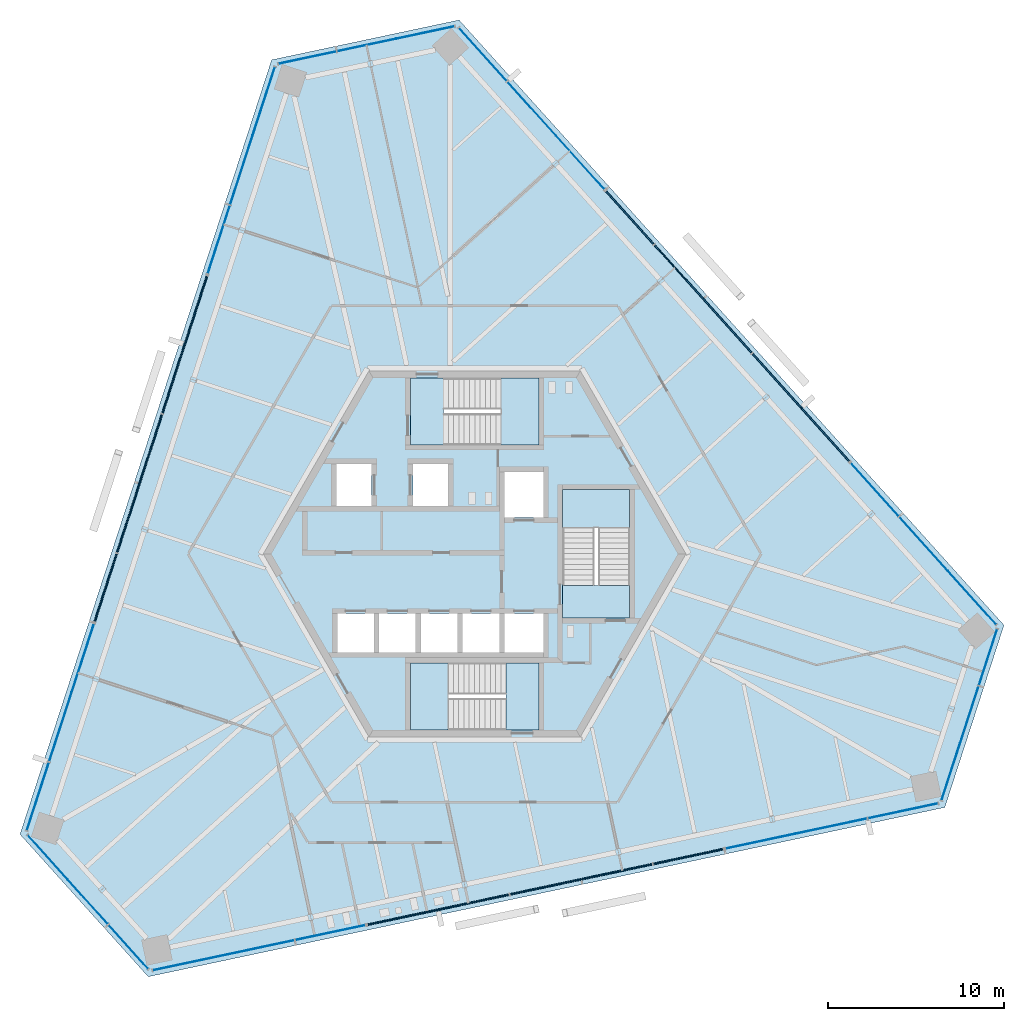
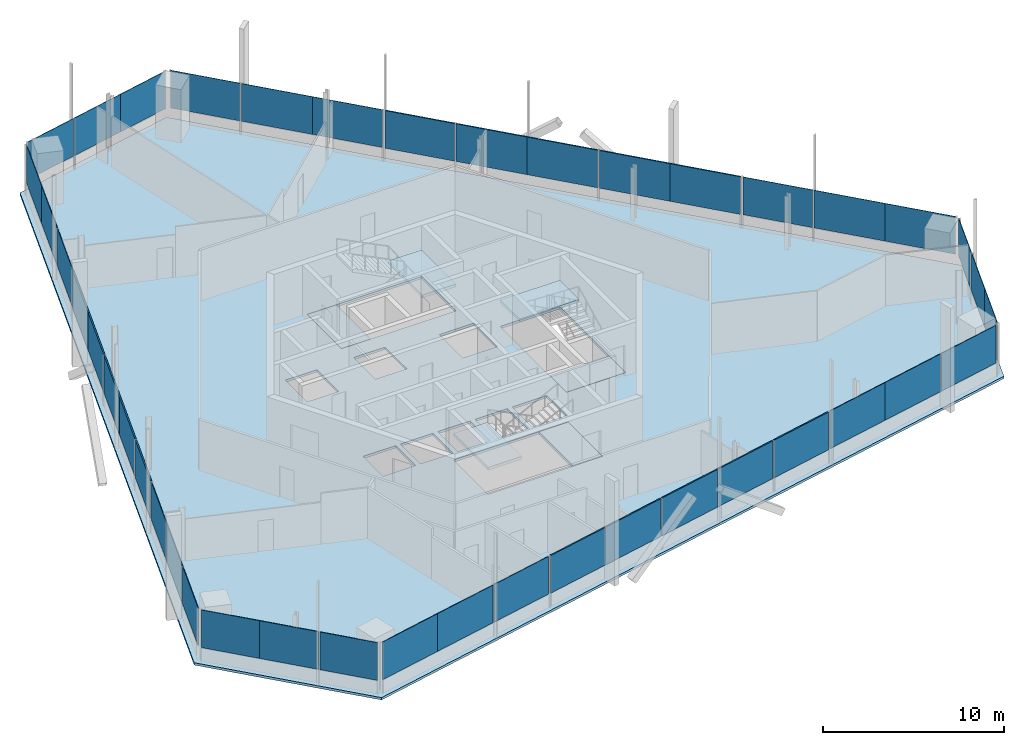
# One storey, part 9 of 17: 42 plates, 7 slabs, 15 elements without a shape of their own.
"""IFC4 building model written with IfcOpenShell, lengths in metres."""

from ifc_helpers import new_model, si_unit, direction, frame, origin, origin_2d, place, context, subcontext, project, spatial, polyline, rectangle, outline, extrude, source, transform, mapped, material, layer, layer_set, type_object, element, aggregate, save


model = new_model("IFC4")

# Units and contexts
model_context = context("Model", 3, precision=1e-05, world=origin(), true_north=direction((0.0, 1.0)))
body_context = subcontext(model_context, "Body", "Model", "MODEL_VIEW")
ifc_project = project(units=[si_unit("LENGTHUNIT", "METRE"), si_unit("AREAUNIT", "SQUARE_METRE"), si_unit("VOLUMEUNIT", "CUBIC_METRE"), si_unit("PLANEANGLEUNIT", "RADIAN"), si_unit("MASSUNIT", "GRAM", prefix="KILO")], contexts=[model_context])

# Site, building, storey
site_placement = place(None, origin())
site = spatial("IfcSite", under=ifc_project, at=site_placement, CompositionType="ELEMENT")
building_placement = place(site_placement, origin())
building = spatial("IfcBuilding", under=site, at=building_placement, Name="Triune Harvest Tower", CompositionType="ELEMENT")
storey_placement = place(building_placement, frame((0.0, 0.0, 273.89990234375)))
storey = spatial("IfcBuildingStorey", under=building, at=storey_placement, Name="L72", CompositionType="ELEMENT", Elevation=273.89990234375)

# Slab
ifc_material_1 = material(Name="Concrete 40 MPa", Category="concrete")
ifc_layer_1 = layer(ifc_material_1, 0.159912109375)
ifc_layer_set_1 = layer_set([ifc_layer_1], Name="Concrete 40 MPa")
slab_type_1 = type_object("IfcSlabType", Name="SL-1 Composite floor slab 160", PredefinedType="FLOOR", material=ifc_layer_set_1)
shared_shape_1 = source(origin(), body_context, "Body", "SweptSolid", [
    extrude(outline(polyline([(30.05810546875, -4.04638671875), (-0.88232421875, 30.31640625), (-11.524658203125, 28.054443359375), (-25.813720703125, -15.922607421875), (-18.533447265625, -24.0078125), (26.696044921875, -14.39404296875), (30.05810546875, -4.04638671875)]), holes=[polyline([(-5.72509765625, -5.590087890625), (-5.72509765625, -3.389892578125), (-7.800048828125, -3.389892578125), (-7.800048828125, -5.590087890625), (-5.72509765625, -5.590087890625)]), polyline([(-3.35009765625, -5.590087890625), (-3.35009765625, -3.389892578125), (-5.425048828125, -3.389892578125), (-5.425048828125, -5.590087890625), (-3.35009765625, -5.590087890625)]), polyline([(-0.97509765625, -5.590087890625), (-0.97509765625, -3.389892578125), (-3.050048828125, -3.389892578125), (-3.050048828125, -5.590087890625), (-0.97509765625, -5.590087890625)]), polyline([(1.39990234375, -5.590087890625), (1.39990234375, -3.389892578125), (-0.675048828125, -3.389892578125), (-0.675048828125, -5.590087890625), (1.39990234375, -5.590087890625)]), polyline([(3.89990234375, 2.06005859375), (3.89990234375, 4.659912109375), (1.699951171875, 4.659912109375), (1.699951171875, 2.06005859375), (3.89990234375, 2.06005859375)]), polyline([(3.89990234375, -5.590087890625), (3.89990234375, -3.389892578125), (1.699951171875, -3.389892578125), (1.699951171875, -5.590087890625), (3.89990234375, -5.590087890625)]), polyline([(-5.85009765625, 2.7099609375), (-5.85009765625, 5.110107421875), (-7.85009765625, 5.110107421875), (-7.85009765625, 2.7099609375), (-5.85009765625, 2.7099609375)]), polyline([(-1.5, 2.7099609375), (-1.5, 5.110107421875), (-3.5, 5.110107421875), (-3.5, 2.7099609375), (-1.5, 2.7099609375)]), polyline([(3.64990234375, 6.18994140625), (3.64990234375, 9.989990234375), (-3.64990234375, 9.989990234375), (-3.64990234375, 6.18994140625), (3.64990234375, 6.18994140625)]), polyline([(3.64990234375, -9.989990234375), (3.64990234375, -6.18994140625), (-3.64990234375, -6.18994140625), (-3.64990234375, -9.989990234375), (3.64990234375, -9.989990234375)]), polyline([(8.800048828125, -3.64990234375), (8.800048828125, 3.64990234375), (5.0, 3.64990234375), (5.0, -3.64990234375), (8.800048828125, -3.64990234375)])]), origin(), (0.0, 0.0, 1.0), 0.159912109375),
])
slab_1_placement = place(storey_placement, frame((0.0, 0.0, -0.159912109375)))
element("IfcSlab", 1, at=slab_1_placement, inside=storey, type_object=slab_type_1, Name="slab/L72/1", PredefinedType="FLOOR", context=body_context, shape_type="MappedRepresentation", body=[
    mapped(shared_shape_1, transform((0.0, 0.0, 0.0), scale=1.0)),
])

# Stair, slabs
ifc_material_2 = material(Name="Concrete 40 MPa", Category="concrete")
stair_type = type_object("IfcStairType", Name="Exit stair 1800 half turn", PredefinedType="HALF_TURN_STAIR", material=ifc_material_2)
stair_1_placement = place(storey_placement, origin())
stair_1 = element("IfcStair", 2, at=stair_1_placement, inside=storey, type_object=stair_type, Name="Exit stair north", PredefinedType="HALF_TURN_STAIR")
ifc_material_3 = material(Name="Concrete 40 MPa", Category="concrete")
ifc_layer_2 = layer(ifc_material_3, 0.199951171875)
ifc_layer_set_2 = layer_set([ifc_layer_2], Name="Concrete 40 MPa")
slab_type_2 = type_object("IfcSlabType", Name="Stair landing 200", PredefinedType="LANDING", material=ifc_layer_set_2)
shared_shape_2 = source(origin(), body_context, "Body", "SweptSolid", [
    extrude(outline(polyline([(1.510009765625, 6.18994140625), (3.64990234375, 6.18994140625), (3.64990234375, 9.989990234375), (1.510009765625, 9.989990234375), (1.510009765625, 6.18994140625)])), origin(), (0.0, 0.0, 1.0), 0.199951171875),
])
slab_2_placement = place(storey_placement, frame((0.0, 0.0, 1.60009765625)))
slab_2 = element("IfcSlab", 3, at=slab_2_placement, type_object=slab_type_2, Name="ST-1 landing 2", PredefinedType="LANDING", context=body_context, shape_type="MappedRepresentation", body=[
    mapped(shared_shape_2, transform((0.0, 0.0, 0.0), scale=1.0)),
])
shared_shape_3 = source(origin(), body_context, "Body", "SweptSolid", [
    extrude(outline(polyline([(-3.64990234375, 6.18994140625), (-1.780029296875, 6.18994140625), (-1.780029296875, 9.989990234375), (-3.64990234375, 9.989990234375), (-3.64990234375, 6.18994140625)])), origin(), (0.0, 0.0, 1.0), 0.199951171875),
])
slab_3_placement = place(storey_placement, frame((0.0, 0.0, -0.199951171875)))
slab_3 = element("IfcSlab", 4, at=slab_3_placement, type_object=slab_type_2, Name="ST-1 landing 1", PredefinedType="LANDING", context=body_context, shape_type="MappedRepresentation", body=[
    mapped(shared_shape_3, transform((0.0, 0.0, 0.0), scale=1.0)),
])
aggregate(stair_1, [slab_3, slab_2])

stair_2_placement = place(storey_placement, origin())
stair_2 = element("IfcStair", 5, at=stair_2_placement, inside=storey, type_object=stair_type, Name="Exit stair south", PredefinedType="HALF_TURN_STAIR")
shared_shape_4 = source(origin(), body_context, "Body", "SweptSolid", [
    extrude(outline(polyline([(-1.510009765625, -6.18994140625), (-3.64990234375, -6.18994140625), (-3.64990234375, -9.989990234375), (-1.510009765625, -9.989990234375), (-1.510009765625, -6.18994140625)])), origin(), (0.0, 0.0, 1.0), 0.199951171875),
])
slab_4_placement = place(storey_placement, frame((0.0, 0.0, 1.60009765625)))
slab_4 = element("IfcSlab", 6, at=slab_4_placement, type_object=slab_type_2, Name="ST-2 landing 2", PredefinedType="LANDING", context=body_context, shape_type="MappedRepresentation", body=[
    mapped(shared_shape_4, transform((0.0, 0.0, 0.0), scale=1.0)),
])
shared_shape_5 = source(origin(), body_context, "Body", "SweptSolid", [
    extrude(outline(polyline([(3.64990234375, -6.18994140625), (1.780029296875, -6.18994140625), (1.780029296875, -9.989990234375), (3.64990234375, -9.989990234375), (3.64990234375, -6.18994140625)])), origin(), (0.0, 0.0, 1.0), 0.199951171875),
])
slab_5_placement = place(storey_placement, frame((0.0, 0.0, -0.199951171875)))
slab_5 = element("IfcSlab", 7, at=slab_5_placement, type_object=slab_type_2, Name="ST-2 landing 1", PredefinedType="LANDING", context=body_context, shape_type="MappedRepresentation", body=[
    mapped(shared_shape_5, transform((0.0, 0.0, 0.0), scale=1.0)),
])
aggregate(stair_2, [slab_5, slab_4])

stair_3_placement = place(storey_placement, origin())
stair_3 = element("IfcStair", 8, at=stair_3_placement, inside=storey, type_object=stair_type, Name="Exit stair east", PredefinedType="HALF_TURN_STAIR")
shared_shape_6 = source(origin(), body_context, "Body", "SweptSolid", [
    extrude(outline(polyline([(8.800048828125, 1.510009765625), (8.800048828125, 3.64990234375), (5.0, 3.64990234375), (5.0, 1.510009765625), (8.800048828125, 1.510009765625)])), origin(), (0.0, 0.0, 1.0), 0.199951171875),
])
slab_6_placement = place(storey_placement, frame((0.0, 0.0, 1.60009765625)))
slab_6 = element("IfcSlab", 9, at=slab_6_placement, type_object=slab_type_2, Name="ST-3 landing 2", PredefinedType="LANDING", context=body_context, shape_type="MappedRepresentation", body=[
    mapped(shared_shape_6, transform((0.0, 0.0, 0.0), scale=1.0)),
])
shared_shape_7 = source(origin(), body_context, "Body", "SweptSolid", [
    extrude(outline(polyline([(8.800048828125, -3.64990234375), (8.800048828125, -1.780029296875), (5.0, -1.780029296875), (5.0, -3.64990234375), (8.800048828125, -3.64990234375)])), origin(), (0.0, 0.0, 1.0), 0.199951171875),
])
slab_7_placement = place(storey_placement, frame((0.0, 0.0, -0.199951171875)))
slab_7 = element("IfcSlab", 10, at=slab_7_placement, type_object=slab_type_2, Name="ST-3 landing 1", PredefinedType="LANDING", context=body_context, shape_type="MappedRepresentation", body=[
    mapped(shared_shape_7, transform((0.0, 0.0, 0.0), scale=1.0)),
])
aggregate(stair_3, [slab_7, slab_6])

# Curtain wall, plate
ifc_material_4 = material(Name="Aluminium bronze anodised", Category="aluminium")
curtain_wall_type_1 = type_object("IfcCurtainWallType", Name="CW-1 Tower stick curtain wall", PredefinedType="NOTDEFINED", material=ifc_material_4)
curtain_wall_1_placement = place(storey_placement, origin())
curtain_wall_1 = element("IfcCurtainWall", 11, at=curtain_wall_1_placement, inside=storey, type_object=curtain_wall_type_1, Name="CW-1 B7-F2 L72 run 1")
ifc_material_5 = material(Name="Glass", Category="glass")
ifc_layer_3 = layer(ifc_material_5, 0.031982421875)
ifc_layer_set_3 = layer_set([ifc_layer_3], Name="Glass")
plate_type_1 = type_object("IfcPlateType", Name="GL-1 panel 32", PredefinedType="CURTAIN_PANEL", material=ifc_layer_set_3)
shared_shape_8 = source(origin(), body_context, "Body", "SweptSolid", [
    extrude(rectangle(XDim=3.376220703125, YDim=0.031982421875, at=origin_2d()), origin(), (0.0, 0.0, 1.0), 2.5400390625),
])
plate_1_placement = place(storey_placement, frame((-2.802001953125, 29.601806640625, 0.900146484375), z_axis=(0.0, 0.0, 1.0), x_axis=(-0.978149078297, -0.207904739307, 0.0)))
plate_1 = element("IfcPlate", 12, at=plate_1_placement, type_object=plate_type_1, Name="CW-1 panel B7-F2 1.1", PredefinedType="CURTAIN_PANEL", context=body_context, shape_type="MappedRepresentation", body=[
    mapped(shared_shape_8, transform((0.0, 0.0, 0.0), scale=1.0)),
])

curtain_wall_2_placement = place(storey_placement, origin())
curtain_wall_2 = element("IfcCurtainWall", 13, at=curtain_wall_2_placement, inside=storey, type_object=curtain_wall_type_1, Name="CW-1 B7-F4 L72 run 1")
plate_2_placement = place(storey_placement, frame((-24.23486328125, -17.2275390625, 0.900146484375), z_axis=(0.0, 0.0, 1.0), x_axis=(0.669132031472, -0.743143542297, 0.0)))
plate_2 = element("IfcPlate", 14, at=plate_2_placement, type_object=plate_type_1, Name="CW-1 panel B7-F4 1.1", PredefinedType="CURTAIN_PANEL", context=body_context, shape_type="MappedRepresentation", body=[
    mapped(shared_shape_8, transform((0.0, 0.0, 0.0), scale=1.0)),
])

curtain_wall_3_placement = place(storey_placement, origin())
curtain_wall_3 = element("IfcCurtainWall", 15, at=curtain_wall_3_placement, inside=storey, type_object=curtain_wall_type_1, Name="CW-1 B7-F6 L72 run 1")
plate_3_placement = place(storey_placement, frame((27.036865234375, -12.374267578125, 0.900146484375), z_axis=(0.0, 0.0, 1.0), x_axis=(0.309018882717, 0.951055902733, 0.0)))
plate_3 = element("IfcPlate", 16, at=plate_3_placement, type_object=plate_type_1, Name="CW-1 panel B7-F6 1.1", PredefinedType="CURTAIN_PANEL", context=body_context, shape_type="MappedRepresentation", body=[
    mapped(shared_shape_8, transform((0.0, 0.0, 0.0), scale=1.0)),
])

# Plate
shared_shape_9 = source(origin(), body_context, "Body", "SweptSolid", [
    extrude(rectangle(XDim=3.413818359375, YDim=0.031982421875, at=origin_2d()), origin(), (0.0, 0.0, 1.0), 2.5400390625),
])
plate_4_placement = place(storey_placement, frame((-6.122802734375, 28.89599609375, 0.900146484375), z_axis=(0.0, 0.0, 1.0), x_axis=(-0.978149078297, -0.207904739307, 0.0)))
plate_4 = element("IfcPlate", 17, at=plate_4_placement, type_object=plate_type_1, Name="CW-1 panel B7-F2 1.2", PredefinedType="CURTAIN_PANEL", context=body_context, shape_type="MappedRepresentation", body=[
    mapped(shared_shape_9, transform((0.0, 0.0, 0.0), scale=1.0)),
])

plate_5_placement = place(storey_placement, frame((28.0859375, -9.145263671875, 0.900146484375), z_axis=(0.0, 0.0, 1.0), x_axis=(0.309018882717, 0.951055902733, 0.0)))
plate_5 = element("IfcPlate", 18, at=plate_5_placement, type_object=plate_type_1, Name="CW-1 panel B7-F6 1.2", PredefinedType="CURTAIN_PANEL", context=body_context, shape_type="MappedRepresentation", body=[
    mapped(shared_shape_9, transform((0.0, 0.0, 0.0), scale=1.0)),
])

shared_shape_10 = source(origin(), body_context, "Body", "SweptSolid", [
    extrude(rectangle(XDim=3.338623046875, YDim=0.031982421875, at=origin_2d()), origin(), (0.0, 0.0, 1.0), 2.5400390625),
])
plate_6_placement = place(storey_placement, frame((-9.49853515625, 28.178466796875, 0.900146484375), z_axis=(0.0, 0.0, 1.0), x_axis=(-0.978149078297, -0.207904739307, 0.0)))
plate_6 = element("IfcPlate", 19, at=plate_6_placement, type_object=plate_type_1, Name="CW-1 panel B7-F2 1.3", PredefinedType="CURTAIN_PANEL", context=body_context, shape_type="MappedRepresentation", body=[
    mapped(shared_shape_10, transform((0.0, 0.0, 0.0), scale=1.0)),
])

aggregate(curtain_wall_1, [plate_1, plate_4, plate_6])

plate_7_placement = place(storey_placement, frame((-19.65380859375, -22.315185546875, 0.900146484375), z_axis=(0.0, 0.0, 1.0), x_axis=(0.669132031472, -0.743143542297, 0.0)))
plate_7 = element("IfcPlate", 20, at=plate_7_placement, type_object=plate_type_1, Name="CW-1 panel B7-F4 1.3", PredefinedType="CURTAIN_PANEL", context=body_context, shape_type="MappedRepresentation", body=[
    mapped(shared_shape_10, transform((0.0, 0.0, 0.0), scale=1.0)),
])

plate_8_placement = place(storey_placement, frame((29.152587890625, -5.863037109375, 0.900146484375), z_axis=(0.0, 0.0, 1.0), x_axis=(0.309018882717, 0.951055902733, 0.0)))
plate_8 = element("IfcPlate", 21, at=plate_8_placement, type_object=plate_type_1, Name="CW-1 panel B7-F6 1.3", PredefinedType="CURTAIN_PANEL", context=body_context, shape_type="MappedRepresentation", body=[
    mapped(shared_shape_10, transform((0.0, 0.0, 0.0), scale=1.0)),
])

aggregate(curtain_wall_3, [plate_3, plate_5, plate_8])

shared_shape_11 = source(origin(), body_context, "Body", "SweptSolid", [
    extrude(rectangle(XDim=3.41357421875, YDim=0.031982421875, at=origin_2d()), origin(), (0.0, 0.0, 1.0), 2.5400390625),
])
plate_9_placement = place(storey_placement, frame((-21.963134765625, -19.75048828125, 0.900146484375), z_axis=(0.0, 0.0, 1.0), x_axis=(0.669132031472, -0.743143542297, 0.0)))
plate_9 = element("IfcPlate", 22, at=plate_9_placement, type_object=plate_type_1, Name="CW-1 panel B7-F4 1.2", PredefinedType="CURTAIN_PANEL", context=body_context, shape_type="MappedRepresentation", body=[
    mapped(shared_shape_11, transform((0.0, 0.0, 0.0), scale=1.0)),
])

aggregate(curtain_wall_2, [plate_2, plate_9, plate_7])

# Curtain wall, plate
ifc_material_6 = material(Name="Aluminium bronze anodised", Category="aluminium")
curtain_wall_type_2 = type_object("IfcCurtainWallType", Name="CW-7 Tower stick curtain wall with insulated spandrel infill", PredefinedType="NOTDEFINED", material=ifc_material_6)
curtain_wall_4_placement = place(storey_placement, origin())
curtain_wall_4 = element("IfcCurtainWall", 23, at=curtain_wall_4_placement, inside=storey, type_object=curtain_wall_type_2, Name="CW-7 B7-F1 L72 run 1001")
ifc_material_7 = material(Name="Insulated spandrel panel, bronze aluminium pan", Category="aluminium")
ifc_layer_4 = layer(ifc_material_7, 0.080078125)
ifc_layer_set_4 = layer_set([ifc_layer_4], Name="Insulated spandrel panel, bronze aluminium pan")
plate_type_2 = type_object("IfcPlateType", Name="SP-1 insulated spandrel panel 80", PredefinedType="CURTAIN_PANEL", material=ifc_layer_set_4)
shared_shape_12 = source(origin(), body_context, "Body", "SweptSolid", [
    extrude(rectangle(XDim=4.080810546875, YDim=0.080078125, at=origin_2d()), origin(), (0.0, 0.0, 1.0), 2.5400390625),
])
plate_10_placement = place(storey_placement, frame((19.9013671875, 6.785400390625, 0.900146484375), z_axis=(0.0, 0.0, 1.0), x_axis=(-0.669131426809, 0.74314408674, 0.0)))
plate_10 = element("IfcPlate", 24, at=plate_10_placement, type_object=plate_type_2, Name="CW-7 panel B7-F1 1001.1", PredefinedType="CURTAIN_PANEL", context=body_context, shape_type="MappedRepresentation", body=[
    mapped(shared_shape_12, transform((0.0, 0.0, 0.0), scale=1.0)),
])

curtain_wall_5_placement = place(storey_placement, origin())
curtain_wall_5 = element("IfcCurtainWall", 25, at=curtain_wall_5_placement, inside=storey, type_object=curtain_wall_type_2, Name="CW-7 B7-F3 L72 run 1001")
plate_11_placement = place(storey_placement, frame((-15.826904296875, 13.84228515625, 0.900146484375), z_axis=(0.0, 0.0, 1.0), x_axis=(-0.309020017761, -0.951055533932, 0.0)))
plate_11 = element("IfcPlate", 26, at=plate_11_placement, type_object=plate_type_2, Name="CW-7 panel B7-F3 1001.1", PredefinedType="CURTAIN_PANEL", context=body_context, shape_type="MappedRepresentation", body=[
    mapped(shared_shape_12, transform((0.0, 0.0, 0.0), scale=1.0)),
])

curtain_wall_6_placement = place(storey_placement, origin())
curtain_wall_6 = element("IfcCurtainWall", 27, at=curtain_wall_6_placement, inside=storey, type_object=curtain_wall_type_2, Name="CW-7 B7-F5 L72 run 1001")
plate_12_placement = place(storey_placement, frame((-4.07421875, -20.627685546875, 0.900146484375), z_axis=(0.0, 0.0, 1.0), x_axis=(0.978147303245, 0.207913090389, 0.0)))
plate_12 = element("IfcPlate", 28, at=plate_12_placement, type_object=plate_type_2, Name="CW-7 panel B7-F5 1001.1", PredefinedType="CURTAIN_PANEL", context=body_context, shape_type="MappedRepresentation", body=[
    mapped(shared_shape_12, transform((0.0, 0.0, 0.0), scale=1.0)),
])

# Plate
shared_shape_13 = source(origin(), body_context, "Body", "SweptSolid", [
    extrude(rectangle(XDim=4.1181640625, YDim=0.080078125, at=origin_2d()), origin(), (0.0, 0.0, 1.0), 2.5400390625),
])
plate_13_placement = place(storey_placement, frame((17.158203125, 9.83203125, 0.900146484375), z_axis=(0.0, 0.0, 1.0), x_axis=(-0.669131426809, 0.74314408674, 0.0)))
plate_13 = element("IfcPlate", 29, at=plate_13_placement, type_object=plate_type_2, Name="CW-7 panel B7-F1 1001.2", PredefinedType="CURTAIN_PANEL", context=body_context, shape_type="MappedRepresentation", body=[
    mapped(shared_shape_13, transform((0.0, 0.0, 0.0), scale=1.0)),
])

plate_14_placement = place(storey_placement, frame((14.3525390625, 12.9482421875, 0.900146484375), z_axis=(0.0, 0.0, 1.0), x_axis=(-0.669131426809, 0.74314408674, 0.0)))
plate_14 = element("IfcPlate", 30, at=plate_14_placement, type_object=plate_type_2, Name="CW-7 panel B7-F1 1001.3", PredefinedType="CURTAIN_PANEL", context=body_context, shape_type="MappedRepresentation", body=[
    mapped(shared_shape_13, transform((0.0, 0.0, 0.0), scale=1.0)),
])

plate_15_placement = place(storey_placement, frame((11.5966796875, 16.008544921875, 0.900146484375), z_axis=(0.0, 0.0, 1.0), x_axis=(-0.669131426809, 0.74314408674, 0.0)))
plate_15 = element("IfcPlate", 31, at=plate_15_placement, type_object=plate_type_2, Name="CW-7 panel B7-F1 1001.4", PredefinedType="CURTAIN_PANEL", context=body_context, shape_type="MappedRepresentation", body=[
    mapped(shared_shape_13, transform((0.0, 0.0, 0.0), scale=1.0)),
])

plate_16_placement = place(storey_placement, frame((-17.09375, 9.943359375, 0.900146484375), z_axis=(0.0, 0.0, 1.0), x_axis=(-0.309020017761, -0.951055533932, 0.0)))
plate_16 = element("IfcPlate", 32, at=plate_16_placement, type_object=plate_type_2, Name="CW-7 panel B7-F3 1001.2", PredefinedType="CURTAIN_PANEL", context=body_context, shape_type="MappedRepresentation", body=[
    mapped(shared_shape_13, transform((0.0, 0.0, 0.0), scale=1.0)),
])

plate_17_placement = place(storey_placement, frame((-18.3896484375, 5.955322265625, 0.900146484375), z_axis=(0.0, 0.0, 1.0), x_axis=(-0.309020017761, -0.951055533932, 0.0)))
plate_17 = element("IfcPlate", 33, at=plate_17_placement, type_object=plate_type_2, Name="CW-7 panel B7-F3 1001.3", PredefinedType="CURTAIN_PANEL", context=body_context, shape_type="MappedRepresentation", body=[
    mapped(shared_shape_13, transform((0.0, 0.0, 0.0), scale=1.0)),
])

plate_18_placement = place(storey_placement, frame((-19.662353515625, 2.038818359375, 0.900146484375), z_axis=(0.0, 0.0, 1.0), x_axis=(-0.309020017761, -0.951055533932, 0.0)))
plate_18 = element("IfcPlate", 34, at=plate_18_placement, type_object=plate_type_2, Name="CW-7 panel B7-F3 1001.4", PredefinedType="CURTAIN_PANEL", context=body_context, shape_type="MappedRepresentation", body=[
    mapped(shared_shape_13, transform((0.0, 0.0, 0.0), scale=1.0)),
])

plate_19_placement = place(storey_placement, frame((-0.064453125, -19.775390625, 0.900146484375), z_axis=(0.0, 0.0, 1.0), x_axis=(0.978147303245, 0.207913090389, 0.0)))
plate_19 = element("IfcPlate", 35, at=plate_19_placement, type_object=plate_type_2, Name="CW-7 panel B7-F5 1001.2", PredefinedType="CURTAIN_PANEL", context=body_context, shape_type="MappedRepresentation", body=[
    mapped(shared_shape_13, transform((0.0, 0.0, 0.0), scale=1.0)),
])

plate_20_placement = place(storey_placement, frame((4.037353515625, -18.903564453125, 0.900146484375), z_axis=(0.0, 0.0, 1.0), x_axis=(0.978147303245, 0.207913090389, 0.0)))
plate_20 = element("IfcPlate", 36, at=plate_20_placement, type_object=plate_type_2, Name="CW-7 panel B7-F5 1001.3", PredefinedType="CURTAIN_PANEL", context=body_context, shape_type="MappedRepresentation", body=[
    mapped(shared_shape_13, transform((0.0, 0.0, 0.0), scale=1.0)),
])

plate_21_placement = place(storey_placement, frame((8.0654296875, -18.04736328125, 0.900146484375), z_axis=(0.0, 0.0, 1.0), x_axis=(0.978147303245, 0.207913090389, 0.0)))
plate_21 = element("IfcPlate", 37, at=plate_21_placement, type_object=plate_type_2, Name="CW-7 panel B7-F5 1001.4", PredefinedType="CURTAIN_PANEL", context=body_context, shape_type="MappedRepresentation", body=[
    mapped(shared_shape_13, transform((0.0, 0.0, 0.0), scale=1.0)),
])

# Curtain wall, plate
curtain_wall_7_placement = place(storey_placement, origin())
curtain_wall_7 = element("IfcCurtainWall", 38, at=curtain_wall_7_placement, inside=storey, type_object=curtain_wall_type_1, Name="CW-1 B7-F1 L72 run 1")
shared_shape_14 = source(origin(), body_context, "Body", "SweptSolid", [
    extrude(rectangle(XDim=4.080810546875, YDim=0.031982421875, at=origin_2d()), origin(), (0.0, 0.0, 1.0), 2.5400390625),
])
plate_22_placement = place(storey_placement, frame((28.24365234375, -2.4794921875, 0.900146484375), z_axis=(0.0, 0.0, 1.0), x_axis=(-0.669131464034, 0.743144053222, 0.0)))
plate_22 = element("IfcPlate", 39, at=plate_22_placement, type_object=plate_type_1, Name="CW-1 panel B7-F1 1.1", PredefinedType="CURTAIN_PANEL", context=body_context, shape_type="MappedRepresentation", body=[
    mapped(shared_shape_14, transform((0.0, 0.0, 0.0), scale=1.0)),
])

curtain_wall_8_placement = place(storey_placement, origin())
curtain_wall_8 = element("IfcCurtainWall", 40, at=curtain_wall_8_placement, inside=storey, type_object=curtain_wall_type_1, Name="CW-1 B7-F1 L72 run 2001")
plate_23_placement = place(storey_placement, frame((5.99755859375, 22.22705078125, 0.900146484375), z_axis=(0.0, 0.0, 1.0), x_axis=(-0.669131464034, 0.743144053222, 0.0)))
plate_23 = element("IfcPlate", 41, at=plate_23_placement, type_object=plate_type_1, Name="CW-1 panel B7-F1 2001.1", PredefinedType="CURTAIN_PANEL", context=body_context, shape_type="MappedRepresentation", body=[
    mapped(shared_shape_14, transform((0.0, 0.0, 0.0), scale=1.0)),
])

curtain_wall_9_placement = place(storey_placement, origin())
curtain_wall_9 = element("IfcCurtainWall", 42, at=curtain_wall_9_placement, inside=storey, type_object=curtain_wall_type_1, Name="CW-1 B7-F3 L72 run 1")
plate_24_placement = place(storey_placement, frame((-11.974365234375, 25.699462890625, 0.900146484375), z_axis=(0.0, 0.0, 1.0), x_axis=(-0.309013302707, -0.951057715783, 0.0)))
plate_24 = element("IfcPlate", 43, at=plate_24_placement, type_object=plate_type_1, Name="CW-1 panel B7-F3 1.1", PredefinedType="CURTAIN_PANEL", context=body_context, shape_type="MappedRepresentation", body=[
    mapped(shared_shape_14, transform((0.0, 0.0, 0.0), scale=1.0)),
])

curtain_wall_10_placement = place(storey_placement, origin())
curtain_wall_10 = element("IfcCurtainWall", 44, at=curtain_wall_10_placement, inside=storey, type_object=curtain_wall_type_1, Name="CW-1 B7-F3 L72 run 2001")
plate_25_placement = place(storey_placement, frame((-22.248046875, -5.919677734375, 0.900146484375), z_axis=(0.0, 0.0, 1.0), x_axis=(-0.309013302707, -0.951057715783, 0.0)))
plate_25 = element("IfcPlate", 45, at=plate_25_placement, type_object=plate_type_1, Name="CW-1 panel B7-F3 2001.1", PredefinedType="CURTAIN_PANEL", context=body_context, shape_type="MappedRepresentation", body=[
    mapped(shared_shape_14, transform((0.0, 0.0, 0.0), scale=1.0)),
])

curtain_wall_11_placement = place(storey_placement, origin())
curtain_wall_11 = element("IfcCurtainWall", 46, at=curtain_wall_11_placement, inside=storey, type_object=curtain_wall_type_1, Name="CW-1 B7-F5 L72 run 1")
plate_26_placement = place(storey_placement, frame((-16.269287109375, -23.219970703125, 0.900146484375), z_axis=(0.0, 0.0, 1.0), x_axis=(0.978148125654, 0.207909221248, 0.0)))
plate_26 = element("IfcPlate", 47, at=plate_26_placement, type_object=plate_type_1, Name="CW-1 panel B7-F5 1.1", PredefinedType="CURTAIN_PANEL", context=body_context, shape_type="MappedRepresentation", body=[
    mapped(shared_shape_14, transform((0.0, 0.0, 0.0), scale=1.0)),
])

curtain_wall_12_placement = place(storey_placement, origin())
curtain_wall_12 = element("IfcCurtainWall", 48, at=curtain_wall_12_placement, inside=storey, type_object=curtain_wall_type_1, Name="CW-1 B7-F5 L72 run 2001")
plate_27_placement = place(storey_placement, frame((16.25048828125, -16.3076171875, 0.900146484375), z_axis=(0.0, 0.0, 1.0), x_axis=(0.978148125654, 0.207909221248, 0.0)))
plate_27 = element("IfcPlate", 49, at=plate_27_placement, type_object=plate_type_1, Name="CW-1 panel B7-F5 2001.1", PredefinedType="CURTAIN_PANEL", context=body_context, shape_type="MappedRepresentation", body=[
    mapped(shared_shape_14, transform((0.0, 0.0, 0.0), scale=1.0)),
])

# Plate
shared_shape_15 = source(origin(), body_context, "Body", "SweptSolid", [
    extrude(rectangle(XDim=4.1181640625, YDim=0.031982421875, at=origin_2d()), origin(), (0.0, 0.0, 1.0), 2.5400390625),
])
plate_28_placement = place(storey_placement, frame((25.50048828125, 0.56689453125, 0.900146484375), z_axis=(0.0, 0.0, 1.0), x_axis=(-0.669131464034, 0.743144053222, 0.0)))
plate_28 = element("IfcPlate", 50, at=plate_28_placement, type_object=plate_type_1, Name="CW-1 panel B7-F1 1.2", PredefinedType="CURTAIN_PANEL", context=body_context, shape_type="MappedRepresentation", body=[
    mapped(shared_shape_15, transform((0.0, 0.0, 0.0), scale=1.0)),
])

plate_29_placement = place(storey_placement, frame((3.25439453125, 25.273681640625, 0.900146484375), z_axis=(0.0, 0.0, 1.0), x_axis=(-0.669131464034, 0.743144053222, 0.0)))
plate_29 = element("IfcPlate", 51, at=plate_29_placement, type_object=plate_type_1, Name="CW-1 panel B7-F1 2001.2", PredefinedType="CURTAIN_PANEL", context=body_context, shape_type="MappedRepresentation", body=[
    mapped(shared_shape_15, transform((0.0, 0.0, 0.0), scale=1.0)),
])

shared_shape_16 = source(origin(), body_context, "Body", "SweptSolid", [
    extrude(rectangle(XDim=4.043212890625, YDim=0.031982421875, at=origin_2d()), origin(), (0.0, 0.0, 1.0), 2.5400390625),
])
plate_30_placement = place(storey_placement, frame((22.7197265625, 3.6552734375, 0.900146484375), z_axis=(0.0, 0.0, 1.0), x_axis=(-0.669131464034, 0.743144053222, 0.0)))
plate_30 = element("IfcPlate", 52, at=plate_30_placement, type_object=plate_type_1, Name="CW-1 panel B7-F1 1.3", PredefinedType="CURTAIN_PANEL", context=body_context, shape_type="MappedRepresentation", body=[
    mapped(shared_shape_16, transform((0.0, 0.0, 0.0), scale=1.0)),
])

aggregate(curtain_wall_7, [plate_22, plate_28, plate_30])

plate_31_placement = place(storey_placement, frame((0.4736328125, 28.362060546875, 0.900146484375), z_axis=(0.0, 0.0, 1.0), x_axis=(-0.669131464034, 0.743144053222, 0.0)))
plate_31 = element("IfcPlate", 53, at=plate_31_placement, type_object=plate_type_1, Name="CW-1 panel B7-F1 2001.3", PredefinedType="CURTAIN_PANEL", context=body_context, shape_type="MappedRepresentation", body=[
    mapped(shared_shape_16, transform((0.0, 0.0, 0.0), scale=1.0)),
])

aggregate(curtain_wall_8, [plate_23, plate_29, plate_31])

plate_32_placement = place(storey_placement, frame((-14.525390625, 17.84814453125, 0.900146484375), z_axis=(0.0, 0.0, 1.0), x_axis=(-0.309013302707, -0.951057715783, 0.0)))
plate_32 = element("IfcPlate", 54, at=plate_32_placement, type_object=plate_type_1, Name="CW-1 panel B7-F3 1.3", PredefinedType="CURTAIN_PANEL", context=body_context, shape_type="MappedRepresentation", body=[
    mapped(shared_shape_16, transform((0.0, 0.0, 0.0), scale=1.0)),
])

plate_33_placement = place(storey_placement, frame((-24.799072265625, -13.770751953125, 0.900146484375), z_axis=(0.0, 0.0, 1.0), x_axis=(-0.309013302707, -0.951057715783, 0.0)))
plate_33 = element("IfcPlate", 55, at=plate_33_placement, type_object=plate_type_1, Name="CW-1 panel B7-F3 2001.3", PredefinedType="CURTAIN_PANEL", context=body_context, shape_type="MappedRepresentation", body=[
    mapped(shared_shape_16, transform((0.0, 0.0, 0.0), scale=1.0)),
])

plate_34_placement = place(storey_placement, frame((-8.1943359375, -21.50341796875, 0.900146484375), z_axis=(0.0, 0.0, 1.0), x_axis=(0.978148125654, 0.207909221248, 0.0)))
plate_34 = element("IfcPlate", 56, at=plate_34_placement, type_object=plate_type_1, Name="CW-1 panel B7-F5 1.3", PredefinedType="CURTAIN_PANEL", context=body_context, shape_type="MappedRepresentation", body=[
    mapped(shared_shape_16, transform((0.0, 0.0, 0.0), scale=1.0)),
])

plate_35_placement = place(storey_placement, frame((24.325439453125, -14.59130859375, 0.900146484375), z_axis=(0.0, 0.0, 1.0), x_axis=(0.978148125654, 0.207909221248, 0.0)))
plate_35 = element("IfcPlate", 57, at=plate_35_placement, type_object=plate_type_1, Name="CW-1 panel B7-F5 2001.3", PredefinedType="CURTAIN_PANEL", context=body_context, shape_type="MappedRepresentation", body=[
    mapped(shared_shape_16, transform((0.0, 0.0, 0.0), scale=1.0)),
])

shared_shape_17 = source(origin(), body_context, "Body", "SweptSolid", [
    extrude(rectangle(XDim=4.118408203125, YDim=0.031982421875, at=origin_2d()), origin(), (0.0, 0.0, 1.0), 2.5400390625),
])
plate_36_placement = place(storey_placement, frame((-13.2412109375, 21.800537109375, 0.900146484375), z_axis=(0.0, 0.0, 1.0), x_axis=(-0.309013302707, -0.951057715783, 0.0)))
plate_36 = element("IfcPlate", 58, at=plate_36_placement, type_object=plate_type_1, Name="CW-1 panel B7-F3 1.2", PredefinedType="CURTAIN_PANEL", context=body_context, shape_type="MappedRepresentation", body=[
    mapped(shared_shape_17, transform((0.0, 0.0, 0.0), scale=1.0)),
])

aggregate(curtain_wall_9, [plate_24, plate_36, plate_32])

plate_37_placement = place(storey_placement, frame((-23.514892578125, -9.818359375, 0.900146484375), z_axis=(0.0, 0.0, 1.0), x_axis=(-0.309013302707, -0.951057715783, 0.0)))
plate_37 = element("IfcPlate", 59, at=plate_37_placement, type_object=plate_type_1, Name="CW-1 panel B7-F3 2001.2", PredefinedType="CURTAIN_PANEL", context=body_context, shape_type="MappedRepresentation", body=[
    mapped(shared_shape_17, transform((0.0, 0.0, 0.0), scale=1.0)),
])

aggregate(curtain_wall_10, [plate_25, plate_37, plate_33])

plate_38_placement = place(storey_placement, frame((-12.25927734375, -22.367431640625, 0.900146484375), z_axis=(0.0, 0.0, 1.0), x_axis=(0.978148125654, 0.207909221248, 0.0)))
plate_38 = element("IfcPlate", 60, at=plate_38_placement, type_object=plate_type_1, Name="CW-1 panel B7-F5 1.2", PredefinedType="CURTAIN_PANEL", context=body_context, shape_type="MappedRepresentation", body=[
    mapped(shared_shape_17, transform((0.0, 0.0, 0.0), scale=1.0)),
])

aggregate(curtain_wall_11, [plate_26, plate_38, plate_34])

plate_39_placement = place(storey_placement, frame((20.260498046875, -15.455322265625, 0.900146484375), z_axis=(0.0, 0.0, 1.0), x_axis=(0.978148125654, 0.207909221248, 0.0)))
plate_39 = element("IfcPlate", 61, at=plate_39_placement, type_object=plate_type_1, Name="CW-1 panel B7-F5 2001.2", PredefinedType="CURTAIN_PANEL", context=body_context, shape_type="MappedRepresentation", body=[
    mapped(shared_shape_17, transform((0.0, 0.0, 0.0), scale=1.0)),
])

aggregate(curtain_wall_12, [plate_27, plate_39, plate_35])

shared_shape_18 = source(origin(), body_context, "Body", "SweptSolid", [
    extrude(rectangle(XDim=4.043212890625, YDim=0.080078125, at=origin_2d()), origin(), (0.0, 0.0, 1.0), 2.5400390625),
])
plate_40_placement = place(storey_placement, frame((8.81591796875, 19.096923828125, 0.900146484375), z_axis=(0.0, 0.0, 1.0), x_axis=(-0.669131426809, 0.74314408674, 0.0)))
plate_40 = element("IfcPlate", 62, at=plate_40_placement, type_object=plate_type_2, Name="CW-7 panel B7-F1 1001.5", PredefinedType="CURTAIN_PANEL", context=body_context, shape_type="MappedRepresentation", body=[
    mapped(shared_shape_18, transform((0.0, 0.0, 0.0), scale=1.0)),
])

aggregate(curtain_wall_4, [plate_10, plate_13, plate_14, plate_15, plate_40])

plate_41_placement = place(storey_placement, frame((-20.946533203125, -1.91357421875, 0.900146484375), z_axis=(0.0, 0.0, 1.0), x_axis=(-0.309020017761, -0.951055533932, 0.0)))
plate_41 = element("IfcPlate", 63, at=plate_41_placement, type_object=plate_type_2, Name="CW-7 panel B7-F3 1001.5", PredefinedType="CURTAIN_PANEL", context=body_context, shape_type="MappedRepresentation", body=[
    mapped(shared_shape_18, transform((0.0, 0.0, 0.0), scale=1.0)),
])

aggregate(curtain_wall_5, [plate_11, plate_16, plate_17, plate_18, plate_41])

plate_42_placement = place(storey_placement, frame((12.13037109375, -17.183349609375, 0.900146484375), z_axis=(0.0, 0.0, 1.0), x_axis=(0.978147303245, 0.207913090389, 0.0)))
plate_42 = element("IfcPlate", 64, at=plate_42_placement, type_object=plate_type_2, Name="CW-7 panel B7-F5 1001.5", PredefinedType="CURTAIN_PANEL", context=body_context, shape_type="MappedRepresentation", body=[
    mapped(shared_shape_18, transform((0.0, 0.0, 0.0), scale=1.0)),
])

aggregate(curtain_wall_6, [plate_12, plate_19, plate_20, plate_21, plate_42])

save(model, "model.ifc")
